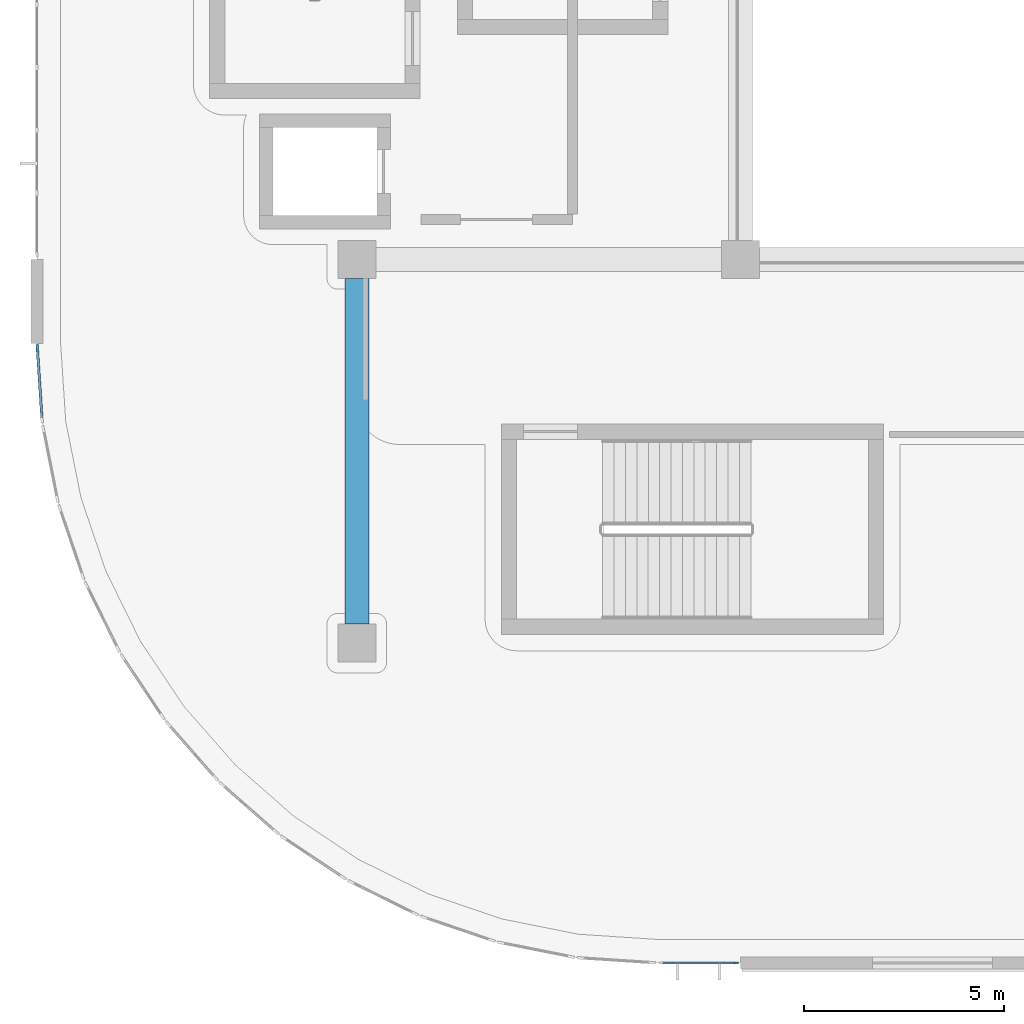
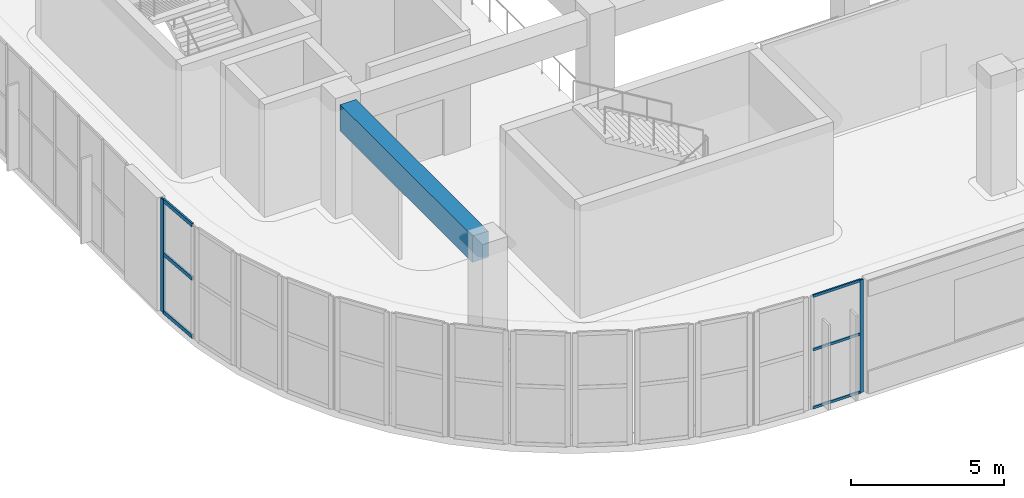
# One storey, part 5 of 86: 8 members, 1 beam, 2 elements without a shape of their own.
"""IFC4 building model written with IfcOpenShell, lengths in metres."""

from ifc_helpers import new_model, si_unit, direction, frame, origin, origin_2d, place, context, subcontext, project, spatial, rectangle, extrude, material, layer, layer_set, material_profile, profile_set, type_object, element, aggregate, save


model = new_model("IFC4")

# Units and contexts
model_context = context("Model", 3, precision=1e-05, world=origin(), true_north=direction((0.0, 1.0)))
body_context = subcontext(model_context, "Body", "Model", "MODEL_VIEW")
ifc_project = project(units=[si_unit("LENGTHUNIT", "METRE"), si_unit("AREAUNIT", "SQUARE_METRE"), si_unit("VOLUMEUNIT", "CUBIC_METRE"), si_unit("PLANEANGLEUNIT", "RADIAN"), si_unit("MASSUNIT", "GRAM", prefix="KILO")], contexts=[model_context])

# Site, building, storey
site_placement = place(None, origin())
site = spatial("IfcSite", under=ifc_project, at=site_placement, CompositionType="ELEMENT")
building_placement = place(site_placement, origin())
building = spatial("IfcBuilding", under=site, at=building_placement, Name="Cendralis Terraced Arcade", CompositionType="ELEMENT")
storey_placement = place(building_placement, frame((0.0, 0.0, 5.39990234375)))
storey = spatial("IfcBuildingStorey", under=building, at=storey_placement, Name="L01", CompositionType="ELEMENT", Elevation=5.39990234375)

# Beam
ifc_material_1 = material(Name="Concrete f'c 35 MPa", Category="concrete")
ifc_material_profile_1 = material_profile(ifc_material_1, rectangle(XDim=0.60009765625, YDim=1.050048828125, at=origin_2d()), Name="RC-BM-600x1050", Category="LoadBearing")
ifc_profile_set_1 = profile_set([ifc_material_profile_1], Name="Concrete f'c 35 MPa")
beam_type = type_object("IfcBeamType", Name="BM-600x1050", PredefinedType="JOIST", material=ifc_profile_set_1)
beam_placement = place(storey_placement, frame((9.60009765625, 10.074951171875, 3.97998046875), z_axis=(0.0, 1.0, 0.0), x_axis=(-1.0, 0.0, 0.0)))
element("IfcBeam", 1, at=beam_placement, inside=storey, type_object=beam_type, Name="Reinforced Concrete Frame Beam BM-Y-L02-2-B_C", PredefinedType="JOIST", context=body_context, shape_type="SweptSolid", body=[
    extrude(rectangle(XDim=0.60009765625, YDim=1.050048828125, at=origin_2d()), origin(), (0.0, 0.0, 1.0), 8.650146484375),
])

# Curtain wall, members
ifc_material_2 = material(Name="Anodised aluminium EN AW-6063 T6", Category="aluminium")
ifc_layer_1 = layer(ifc_material_2, 0.1201171875, Name="CW-STORE-B")
ifc_layer_set_1 = layer_set([ifc_layer_1], Name="Anodised aluminium EN AW-6063 T6")
curtain_wall_type_1 = type_object("IfcCurtainWallType", Name="CW-STORE-B", PredefinedType="USERDEFINED", material=ifc_layer_set_1)
curtain_wall_1_placement = place(storey_placement, origin())
curtain_wall_1 = element("IfcCurtainWall", 2, at=curtain_wall_1_placement, inside=storey, type_object=curtain_wall_type_1, Name="Exterior Storefront Glazing CW-L01-0095", ObjectType="STOREFRONT GLAZING", PredefinedType="USERDEFINED")
ifc_material_profile_2 = material_profile(ifc_material_2, rectangle(XDim=0.054931640625, YDim=0.1201171875, at=origin_2d()), Name="ALU-MUL-55x120")
ifc_profile_set_2 = profile_set([ifc_material_profile_2], Name="Anodised aluminium EN AW-6063 T6")
member_type_1 = type_object("IfcMemberType", Name="CW-STORE-B-MUL", PredefinedType="MULLION", material=ifc_profile_set_2)
member_1_placement = place(storey_placement, frame((19.08251953125, 1.60009765625, 0.0), z_axis=(0.0, 0.0, 1.0), x_axis=(0.0, -1.0, 0.0)))
member_1 = element("IfcMember", 3, at=member_1_placement, type_object=member_type_1, Name="CW-S2 mullion 1", PredefinedType="MULLION", context=body_context, shape_type="SweptSolid", body=[
    extrude(rectangle(XDim=0.054931640625, YDim=0.1201171875, at=origin_2d()), origin(), (0.0, 0.0, 1.0), 4.505126953125),
])
ifc_material_profile_3 = material_profile(ifc_material_2, rectangle(XDim=0.054931640625, YDim=0.10009765625, at=origin_2d()), Name="ALU-TRN-55x100")
ifc_profile_set_3 = profile_set([ifc_material_profile_3], Name="Anodised aluminium EN AW-6063 T6")
member_type_2 = type_object("IfcMemberType", Name="CW-STORE-B-TRN", PredefinedType="USERDEFINED", material=ifc_profile_set_3)
member_2_placement = place(storey_placement, frame((19.054931640625, 1.60009765625, 0.027587890625), z_axis=(-1.0, 0.0, 0.0), x_axis=(0.0, -1.0, 0.0)))
member_2 = element("IfcMember", 4, at=member_2_placement, type_object=member_type_2, Name="CW-S2 transom 1.1", ObjectType="TRANSOM", PredefinedType="USERDEFINED", context=body_context, shape_type="SweptSolid", body=[
    extrude(rectangle(XDim=0.054931640625, YDim=0.10009765625, at=origin_2d()), origin(), (0.0, 0.0, 1.0), 1.809814453125),
])
member_3_placement = place(storey_placement, frame((19.054931640625, 1.60009765625, 2.3427734375), z_axis=(-1.0, 0.0, 0.0), x_axis=(0.0, -1.0, 0.0)))
member_3 = element("IfcMember", 5, at=member_3_placement, type_object=member_type_2, Name="CW-S2 transom 1.2", ObjectType="TRANSOM", PredefinedType="USERDEFINED", context=body_context, shape_type="SweptSolid", body=[
    extrude(rectangle(XDim=0.054931640625, YDim=0.10009765625, at=origin_2d()), origin(), (0.0, 0.0, 1.0), 1.809814453125),
])
member_4_placement = place(storey_placement, frame((19.054931640625, 1.60009765625, 4.4775390625), z_axis=(-1.0, 0.0, 0.0), x_axis=(0.0, -1.0, 0.0)))
member_4 = element("IfcMember", 6, at=member_4_placement, type_object=member_type_2, Name="CW-S2 transom 1.3", ObjectType="TRANSOM", PredefinedType="USERDEFINED", context=body_context, shape_type="SweptSolid", body=[
    extrude(rectangle(XDim=0.054931640625, YDim=0.10009765625, at=origin_2d()), origin(), (0.0, 0.0, 1.0), 1.809814453125),
])
aggregate(curtain_wall_1, [member_1, member_2, member_3, member_4])

ifc_layer_2 = layer(ifc_material_2, 0.179931640625, Name="CW-UNIT-A")
ifc_layer_set_2 = layer_set([ifc_layer_2], Name="Anodised aluminium EN AW-6063 T6")
curtain_wall_type_2 = type_object("IfcCurtainWallType", Name="CW-UNIT-A", PredefinedType="USERDEFINED", material=ifc_layer_set_2)
curtain_wall_2_placement = place(storey_placement, origin())
curtain_wall_2 = element("IfcCurtainWall", 7, at=curtain_wall_2_placement, inside=storey, type_object=curtain_wall_type_2, Name="Exterior Unitised Facade CW-L01-0107", ObjectType="UNITISED FACADE", PredefinedType="USERDEFINED")
ifc_material_profile_4 = material_profile(ifc_material_2, rectangle(XDim=0.06494140625, YDim=0.179931640625, at=origin_2d()), Name="ALU-MUL-65x180")
ifc_profile_set_4 = profile_set([ifc_material_profile_4], Name="Anodised aluminium EN AW-6063 T6")
member_type_3 = type_object("IfcMemberType", Name="CW-UNIT-A-MUL", PredefinedType="MULLION", material=ifc_profile_set_4)
member_5_placement = place(storey_placement, frame((1.60791015625, 16.977783203125, 0.0), z_axis=(0.0, 0.0, 1.0), x_axis=(-0.997860192175, -0.065383766124, 0.0)))
member_5 = element("IfcMember", 8, at=member_5_placement, type_object=member_type_3, Name="CW-U1 mullion 2", PredefinedType="MULLION", context=body_context, shape_type="SweptSolid", body=[
    extrude(rectangle(XDim=0.06494140625, YDim=0.179931640625, at=origin_2d()), origin(), (0.0, 0.0, 1.0), 4.505126953125),
])
ifc_material_profile_5 = material_profile(ifc_material_2, rectangle(XDim=0.06494140625, YDim=0.14990234375, at=origin_2d()), Name="ALU-TRN-65x150")
ifc_profile_set_5 = profile_set([ifc_material_profile_5], Name="Anodised aluminium EN AW-6063 T6")
member_type_4 = type_object("IfcMemberType", Name="CW-UNIT-A-TRN", PredefinedType="USERDEFINED", material=ifc_profile_set_5)
member_6_placement = place(storey_placement, frame((1.722412109375, 15.2314453125, 0.03271484375), z_axis=(-0.065386837014, 0.997859990953, 0.0), x_axis=(-0.997859990953, -0.065386837014, 0.0)))
member_6 = element("IfcMember", 9, at=member_6_placement, type_object=member_type_4, Name="CW-U1 transom 1.1", ObjectType="TRANSOM", PredefinedType="USERDEFINED", context=body_context, shape_type="SweptSolid", body=[
    extrude(rectangle(XDim=0.06494140625, YDim=0.14990234375, at=origin_2d()), origin(), (0.0, 0.0, 1.0), 1.717529296875),
])
member_7_placement = place(storey_placement, frame((1.722412109375, 15.2314453125, 2.3427734375), z_axis=(-0.065386837014, 0.997859990953, 0.0), x_axis=(-0.997859990953, -0.065386837014, 0.0)))
member_7 = element("IfcMember", 10, at=member_7_placement, type_object=member_type_4, Name="CW-U1 transom 1.2", ObjectType="TRANSOM", PredefinedType="USERDEFINED", context=body_context, shape_type="SweptSolid", body=[
    extrude(rectangle(XDim=0.06494140625, YDim=0.14990234375, at=origin_2d()), origin(), (0.0, 0.0, 1.0), 1.717529296875),
])
member_8_placement = place(storey_placement, frame((1.722412109375, 15.2314453125, 4.47265625), z_axis=(-0.065386837014, 0.997859990953, 0.0), x_axis=(-0.997859990953, -0.065386837014, 0.0)))
member_8 = element("IfcMember", 11, at=member_8_placement, type_object=member_type_4, Name="CW-U1 transom 1.3", ObjectType="TRANSOM", PredefinedType="USERDEFINED", context=body_context, shape_type="SweptSolid", body=[
    extrude(rectangle(XDim=0.06494140625, YDim=0.14990234375, at=origin_2d()), origin(), (0.0, 0.0, 1.0), 1.717529296875),
])
aggregate(curtain_wall_2, [member_5, member_6, member_7, member_8])

save(model, "model.ifc")
